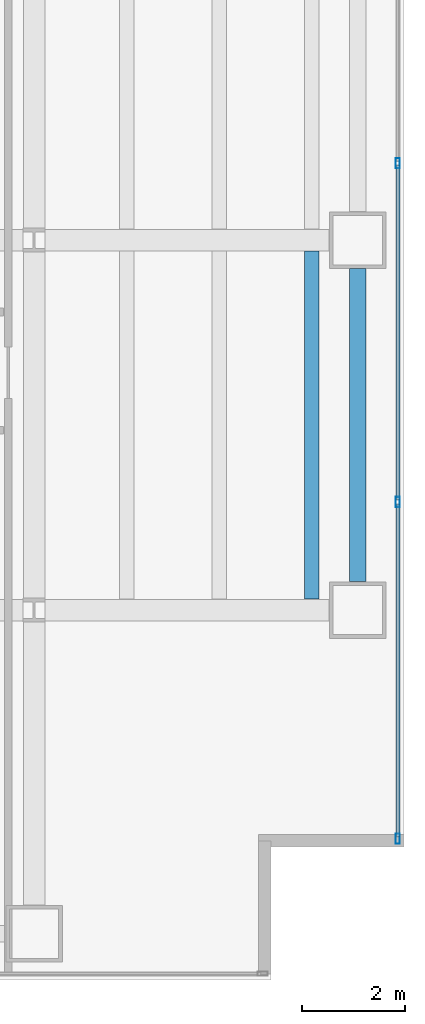
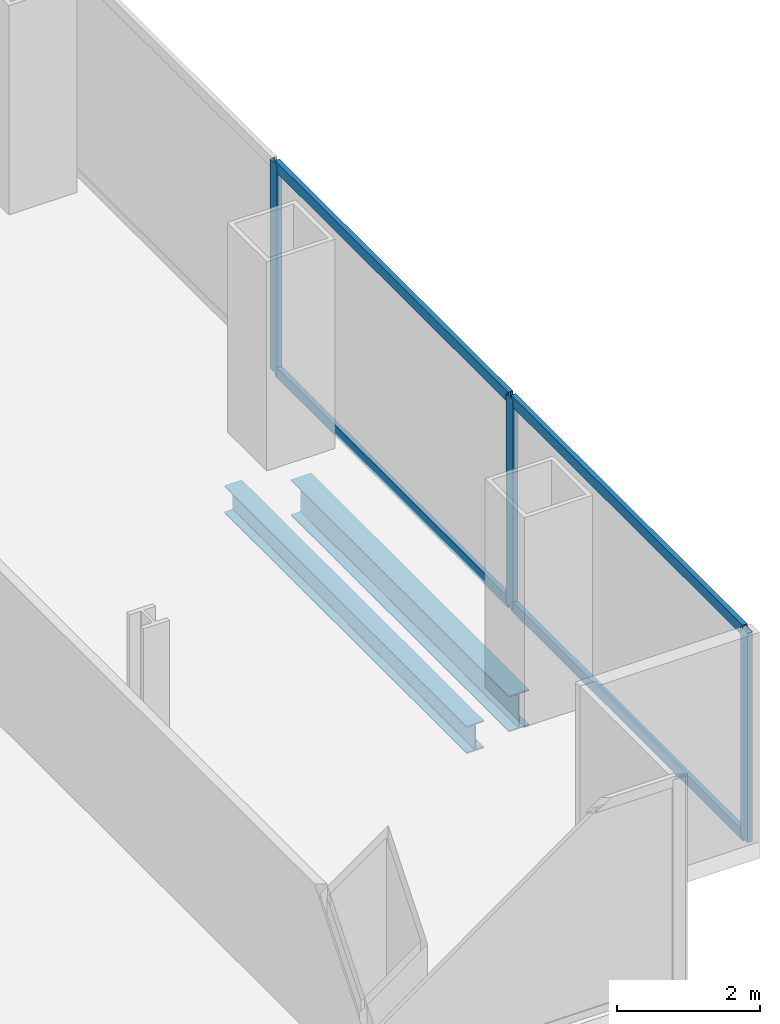
# One storey, part 10 of 23: 7 members, 2 beams, 1 element without a shape of its own.
"""IFC4 building model written with IfcOpenShell, lengths in metres."""

from ifc_helpers import new_model, si_unit, direction, frame, origin, origin_2d, place, context, subcontext, project, spatial, hollow_rectangle, i_section, extrude, material, material_profile, profile_set, type_object, element, aggregate, save


model = new_model("IFC4")

# Units and contexts
model_context = context("Model", 3, precision=1e-05, world=origin(), true_north=direction((0.0, 1.0)))
body_context = subcontext(model_context, "Body", "Model", "MODEL_VIEW")
ifc_project = project(units=[si_unit("LENGTHUNIT", "METRE"), si_unit("AREAUNIT", "SQUARE_METRE"), si_unit("VOLUMEUNIT", "CUBIC_METRE"), si_unit("PLANEANGLEUNIT", "RADIAN"), si_unit("MASSUNIT", "GRAM", prefix="KILO")], contexts=[model_context])

# Site, building, storey
site_placement = place(None, origin())
site = spatial("IfcSite", under=ifc_project, at=site_placement, CompositionType="ELEMENT")
building_placement = place(site_placement, origin())
building = spatial("IfcBuilding", under=site, at=building_placement, Name="Cobrela Telecom Tower", CompositionType="ELEMENT")
storey_placement = place(building_placement, frame((0.0, 0.0, 38.85009765625)))
storey = spatial("IfcBuildingStorey", under=building, at=storey_placement, Name="L09", CompositionType="ELEMENT", Elevation=38.85009765625)

# Beams
ifc_material_1 = material(Name="Steel ASTM A992 Grade 50", Category="steel")
ifc_material_profile_1 = material_profile(ifc_material_1, i_section(OverallWidth=0.281982421875, OverallDepth=0.467041015625, WebThickness=0.01220703125, FlangeThickness=0.01953125, FilletRadius=0.012939453125, at=origin_2d()), Name="W18X86")
ifc_profile_set_1 = profile_set([ifc_material_profile_1], Name="Steel ASTM A992 Grade 50")
beam_type_1 = type_object("IfcBeamType", Name="BM-JOIST-02", PredefinedType="JOIST", material=ifc_profile_set_1)
beam_1_placement = place(storey_placement, frame((48.60009765625, 7.41455078125, -0.513671875), z_axis=(0.0, 1.0, 0.0), x_axis=(-1.0, 0.0, 0.0)))
element("IfcBeam", 1, at=beam_1_placement, inside=storey, type_object=beam_type_1, Name="L09 Secondary Composite Floor Beam J63", PredefinedType="JOIST", context=body_context, shape_type="SweptSolid", body=[
    extrude(i_section(OverallWidth=0.281982421875, OverallDepth=0.467041015625, WebThickness=0.01220703125, FlangeThickness=0.01953125, FilletRadius=0.012939453125, at=origin_2d()), origin(), (0.0, 0.0, 1.0), 6.77099609375),
])
ifc_material_profile_2 = material_profile(ifc_material_1, i_section(OverallWidth=0.324951171875, OverallDepth=0.612060546875, WebThickness=0.0126953125, FlangeThickness=0.01904296875, FilletRadius=0.014892578125, at=origin_2d()), Name="W24X104")
ifc_profile_set_2 = profile_set([ifc_material_profile_2], Name="Steel ASTM A992 Grade 50")
beam_type_2 = type_object("IfcBeamType", Name="BM-SPAND-02", PredefinedType="SPANDREL", material=ifc_profile_set_2)
beam_2_placement = place(storey_placement, frame((49.5, 7.7548828125, -0.586181640625), z_axis=(0.0, 1.0, 0.0), x_axis=(-1.0, 0.0, 0.0)))
element("IfcBeam", 2, at=beam_2_placement, inside=storey, type_object=beam_type_2, Name="L09 Perimeter Spandrel Y56", PredefinedType="SPANDREL", context=body_context, shape_type="SweptSolid", body=[
    extrude(i_section(OverallWidth=0.324951171875, OverallDepth=0.612060546875, WebThickness=0.0126953125, FlangeThickness=0.01904296875, FilletRadius=0.014892578125, at=origin_2d()), origin(), (0.0, 0.0, 1.0), 6.090087890625),
])

# Curtain wall, members
ifc_material_2 = material(Name="Anodized Bronze Aluminium 6063-T6", Category="aluminium")
curtain_wall_type = type_object("IfcCurtainWallType", Name="CW-SYS-DATA", PredefinedType="USERDEFINED", material=ifc_material_2)
curtain_wall_placement = place(storey_placement, origin())
curtain_wall = element("IfcCurtainWall", 3, at=curtain_wall_placement, inside=storey, type_object=curtain_wall_type, Name="L09 Unitised Bronze Curtain Wall 14", ObjectType="UNITISED CURTAIN WALL", PredefinedType="USERDEFINED")
ifc_material_profile_3 = material_profile(ifc_material_2, hollow_rectangle(XDim=0.080078125, YDim=0.199951171875, WallThickness=0.00390625, at=origin_2d()), Name="ALU 80x200x4")
ifc_profile_set_3 = profile_set([ifc_material_profile_3], Name="Anodized Bronze Aluminium 6063-T6")
member_type_1 = type_object("IfcMemberType", Name="CW-SYS-DATA-MUL", PredefinedType="MULLION", material=ifc_profile_set_3)
member_1_placement = place(storey_placement, frame((50.280029296875, 15.896728515625, 0.0), z_axis=(0.0, 0.0, 1.0), x_axis=(1.0, 0.0, 0.0)))
member_1 = element("IfcMember", 4, at=member_1_placement, type_object=member_type_1, Name="CW-DATA mullion 2", PredefinedType="MULLION", context=body_context, shape_type="SweptSolid", body=[
    extrude(hollow_rectangle(XDim=0.080078125, YDim=0.199951171875, WallThickness=0.00390625, at=origin_2d()), origin(), (0.0, 0.0, 1.0), 3.56982421875),
])
member_2_placement = place(storey_placement, frame((50.280029296875, 9.30322265625, 0.0), z_axis=(0.0, 0.0, 1.0), x_axis=(1.0, 0.0, 0.0)))
member_2 = element("IfcMember", 5, at=member_2_placement, type_object=member_type_1, Name="CW-DATA mullion 3", PredefinedType="MULLION", context=body_context, shape_type="SweptSolid", body=[
    extrude(hollow_rectangle(XDim=0.080078125, YDim=0.199951171875, WallThickness=0.00390625, at=origin_2d()), origin(), (0.0, 0.0, 1.0), 3.56982421875),
])
member_3_placement = place(storey_placement, frame((50.280029296875, 2.75, 0.0), z_axis=(0.0, 0.0, 1.0), x_axis=(1.0, 0.0, 0.0)))
member_3 = element("IfcMember", 6, at=member_3_placement, type_object=member_type_1, Name="CW-DATA mullion 4", PredefinedType="MULLION", context=body_context, shape_type="SweptSolid", body=[
    extrude(hollow_rectangle(XDim=0.080078125, YDim=0.199951171875, WallThickness=0.00390625, at=origin_2d()), origin(), (0.0, 0.0, 1.0), 3.56982421875),
])
ifc_material_profile_4 = material_profile(ifc_material_2, hollow_rectangle(XDim=0.074951171875, YDim=0.179931640625, WallThickness=0.00390625, at=origin_2d()), Name="ALU 75x180x4")
ifc_profile_set_4 = profile_set([ifc_material_profile_4], Name="Anodized Bronze Aluminium 6063-T6")
member_type_2 = type_object("IfcMemberType", Name="CW-SYS-DATA-TRN", PredefinedType="USERDEFINED", material=ifc_profile_set_4)
member_4_placement = place(storey_placement, frame((50.280029296875, 15.856689453125, 0.037353515625), z_axis=(0.0, -1.0, 0.0), x_axis=(1.0, 0.0, 0.0)))
member_4 = element("IfcMember", 7, at=member_4_placement, type_object=member_type_2, Name="CW-DATA transom 2.1", ObjectType="TRANSOM", PredefinedType="USERDEFINED", context=body_context, shape_type="SweptSolid", body=[
    extrude(hollow_rectangle(XDim=0.074951171875, YDim=0.179931640625, WallThickness=0.00390625, at=origin_2d()), origin(), (0.0, 0.0, 1.0), 6.513427734375),
])
member_5_placement = place(storey_placement, frame((50.280029296875, 15.856689453125, 3.532470703125), z_axis=(0.0, -1.0, 0.0), x_axis=(1.0, 0.0, 0.0)))
member_5 = element("IfcMember", 8, at=member_5_placement, type_object=member_type_2, Name="CW-DATA transom 2.2", ObjectType="TRANSOM", PredefinedType="USERDEFINED", context=body_context, shape_type="SweptSolid", body=[
    extrude(hollow_rectangle(XDim=0.074951171875, YDim=0.179931640625, WallThickness=0.00390625, at=origin_2d()), origin(), (0.0, 0.0, 1.0), 6.513427734375),
])
member_6_placement = place(storey_placement, frame((50.280029296875, 9.263427734375, 0.037353515625), z_axis=(0.0, -1.0, 0.0), x_axis=(1.0, 0.0, 0.0)))
member_6 = element("IfcMember", 9, at=member_6_placement, type_object=member_type_2, Name="CW-DATA transom 3.1", ObjectType="TRANSOM", PredefinedType="USERDEFINED", context=body_context, shape_type="SweptSolid", body=[
    extrude(hollow_rectangle(XDim=0.074951171875, YDim=0.179931640625, WallThickness=0.00390625, at=origin_2d()), origin(), (0.0, 0.0, 1.0), 6.473388671875),
])
member_7_placement = place(storey_placement, frame((50.280029296875, 9.263427734375, 3.532470703125), z_axis=(0.0, -1.0, 0.0), x_axis=(1.0, 0.0, 0.0)))
member_7 = element("IfcMember", 10, at=member_7_placement, type_object=member_type_2, Name="CW-DATA transom 3.2", ObjectType="TRANSOM", PredefinedType="USERDEFINED", context=body_context, shape_type="SweptSolid", body=[
    extrude(hollow_rectangle(XDim=0.074951171875, YDim=0.179931640625, WallThickness=0.00390625, at=origin_2d()), origin(), (0.0, 0.0, 1.0), 6.473388671875),
])
aggregate(curtain_wall, [member_1, member_2, member_3, member_4, member_5, member_6, member_7])

save(model, "model.ifc")
